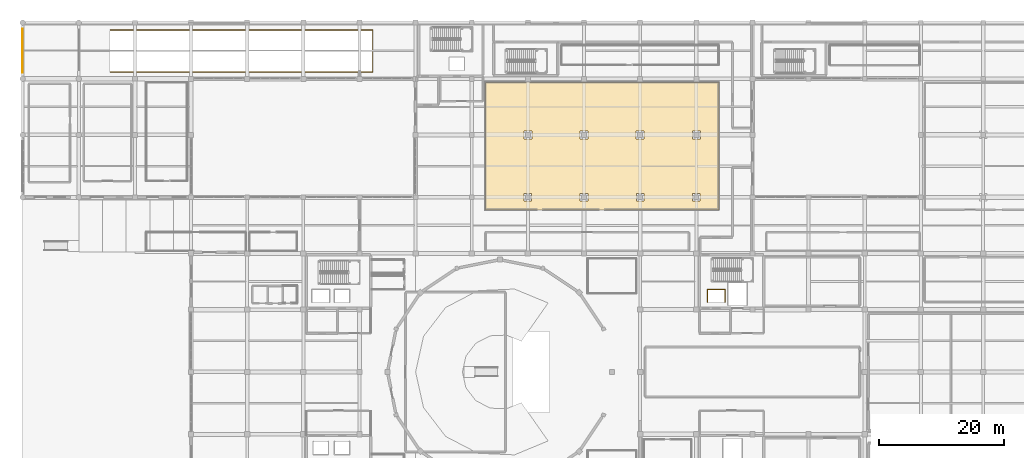
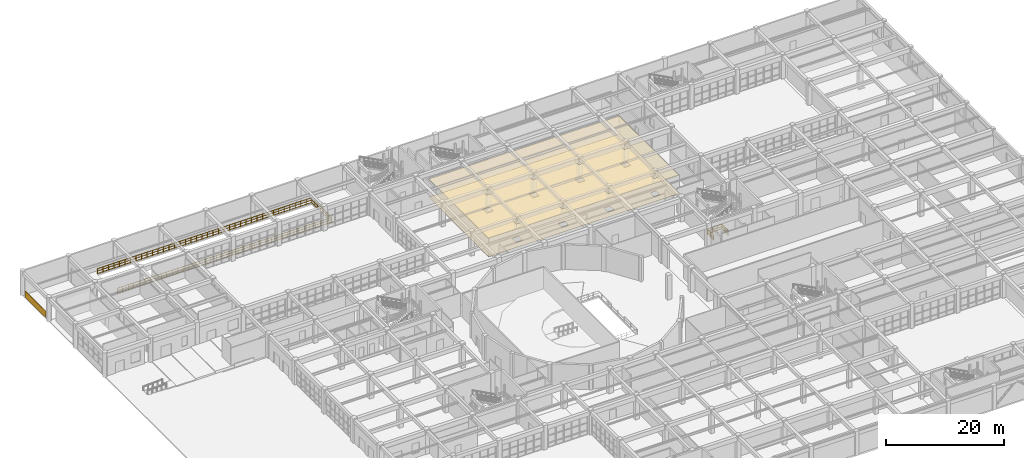
# One storey, part 124 of 128: 3 coverings, 2 railings.
"""IFC4 building model written with IfcOpenShell, lengths in metres."""

import ifcopenshell
import ifcopenshell.guid

model = None  # the IFC model being written
_history = None  # IfcOwnerHistory: only IFC2X3 demands one
_inside = {}  # id of a spatial element -> (the spatial element, [elements in it])
_under = {}  # id of a project, library or spatial element -> (it, [spatial elements below it])
_declared = {}  # id of a project -> (the project, [libraries it declares])
_typed = {}  # id of a type object -> (the type object, [elements of that type])
_made_of = {}  # id of a material, layer set ... -> (it, [elements and type objects made of it])


def new_model(schema):
    """Start an empty IFC model of exactly this schema.

    Asked for "IFC4X3", IfcOpenShell would pick the latest addendum, in which some entities
    have other attributes; the version numbers below select the first issue.
    IFC2X3 requires an IfcOwnerHistory on every rooted entity: one is made here for all.
    """
    global model, _history
    if schema == "IFC4X3":
        model = ifcopenshell.file(schema_version=(4, 3, 0, 0))
    else:
        model = ifcopenshell.file(schema=schema)
    _inside.clear()
    _under.clear()
    _declared.clear()
    _typed.clear()
    _made_of.clear()
    _history = None
    if model.schema == "IFC2X3":
        org = make("IfcOrganization", Name="unknown")
        user = make(
            "IfcPersonAndOrganization",
            ThePerson=make("IfcPerson", FamilyName="unknown"),
            TheOrganization=org,
        )
        app = make(
            "IfcApplication",
            ApplicationDeveloper=org,
            Version="unknown",
            ApplicationFullName="unknown",
            ApplicationIdentifier="unknown",
        )
        _history = make(
            "IfcOwnerHistory",
            OwningUser=user,
            OwningApplication=app,
            ChangeAction="ADDED",
            CreationDate=0,
        )
    return model


def make(cls, **values):
    """One entity of the class cls with the attributes given. An attribute that is None is left unset."""
    return model.create_entity(
        cls, **{name: value for name, value in values.items() if value is not None}
    )


def rooted(cls, **values):
    """An entity with a GlobalId (a new one), such as an element, a storey or a relation."""
    return make(cls, GlobalId=ifcopenshell.guid.new(), OwnerHistory=_history, **values)


def si_unit(unit_type, name, prefix=None):
    """IfcSIUnit, for example si_unit("LENGTHUNIT", "METRE", prefix="MILLI")."""
    return make("IfcSIUnit", UnitType=unit_type, Prefix=prefix, Name=name)


def assignment(units):
    """IfcUnitAssignment: the units of a project."""
    return None if units is None else make("IfcUnitAssignment", Units=units)


def point(xyz):
    """IfcCartesianPoint."""
    return None if xyz is None else make("IfcCartesianPoint", Coordinates=xyz)


def direction(xyz):
    """IfcDirection."""
    return None if xyz is None else make("IfcDirection", DirectionRatios=xyz)


def frame(location, z_axis=None, x_axis=None):
    """IfcAxis2Placement3D, a coordinate frame: its origin and axes. An axis left out is left unset."""
    return make(
        "IfcAxis2Placement3D",
        Location=point(location),
        Axis=direction(z_axis),
        RefDirection=direction(x_axis),
    )


def frame_2d(location, x_axis=None):
    """IfcAxis2Placement2D, a coordinate frame in the plane: its origin and x axis."""
    return make(
        "IfcAxis2Placement2D", Location=point(location), RefDirection=direction(x_axis)
    )


def origin():
    """The frame at (0, 0, 0) with its axes left unset."""
    return frame((0.0, 0.0, 0.0))


def origin_2d():
    """The frame at (0, 0) in the plane with its x axis left unset."""
    return frame_2d((0.0, 0.0))


def place(relative_to, where):
    """IfcLocalPlacement: puts the frame where relative to a parent placement (None: the world)."""
    return make(
        "IfcLocalPlacement", PlacementRelTo=relative_to, RelativePlacement=where
    )


def context(
    kind, dimensions, precision=None, world=None, true_north=None, identifier=None
):
    """IfcGeometricRepresentationContext, for example the 3D "Model" context."""
    return make(
        "IfcGeometricRepresentationContext",
        ContextIdentifier=identifier,
        ContextType=kind,
        CoordinateSpaceDimension=dimensions,
        Precision=precision,
        WorldCoordinateSystem=world,
        TrueNorth=true_north,
    )


def subcontext(parent, identifier, kind, view, scale=None):
    """IfcGeometricRepresentationSubContext, for example "Body" below "Model"."""
    return make(
        "IfcGeometricRepresentationSubContext",
        ContextIdentifier=identifier,
        ContextType=kind,
        ParentContext=parent,
        TargetScale=scale,
        TargetView=view,
    )


def project(units=None, contexts=None):
    """IfcProject with its units and contexts."""
    return rooted(
        "IfcProject",
        Name="project",
        RepresentationContexts=contexts,
        UnitsInContext=assignment(units),
    )


def spatial(cls, under=None, at=None, **own):
    """A site, building, storey or space (cls), placed at a placement, below another one or the project."""
    s = rooted(cls, ObjectPlacement=at, **own)
    if under is not None:
        _under.setdefault(under.id(), (under, []))[1].append(s)
    return s


def polyline(points):
    """IfcPolyline through the points."""
    return make("IfcPolyline", Points=[point(p) for p in points])


def profile(cls, at=None, kind="AREA", **sizes):
    """A parametric profile (cls). Its sizes go by their IFC names, for example OverallWidth=200.0."""
    return make(cls, ProfileType=kind, Position=at, **sizes)


def circle(**sizes):
    """IfcCircleProfileDef."""
    return profile("IfcCircleProfileDef", **sizes)


def outline(outer, holes=None, kind="AREA"):
    """IfcArbitraryClosedProfileDef: a profile drawn as a closed curve; with holes, ...WithVoids."""
    if holes is None:
        return make("IfcArbitraryClosedProfileDef", ProfileType=kind, OuterCurve=outer)
    return make(
        "IfcArbitraryProfileDefWithVoids",
        ProfileType=kind,
        OuterCurve=outer,
        InnerCurves=holes,
    )


def extrude(swept, where, along, depth):
    """IfcExtrudedAreaSolid: the profile swept, set in the frame where, extruded along a direction by depth."""
    return make(
        "IfcExtrudedAreaSolid",
        SweptArea=swept,
        Position=where,
        ExtrudedDirection=direction(along),
        Depth=depth,
    )


def shape(context_of_items, identifier, shape_type, items):
    """IfcShapeRepresentation: the items that make up one representation, for example the "Body"."""
    return make(
        "IfcShapeRepresentation",
        ContextOfItems=context_of_items,
        RepresentationIdentifier=identifier,
        RepresentationType=shape_type,
        Items=items,
    )


def material(Name=None, Category=None):
    """IfcMaterial."""
    return make("IfcMaterial", Name=Name, Category=Category)


def layer(
    of_material, thickness, ventilated=None, Name=None, Category=None, Priority=None
):
    """IfcMaterialLayer: one layer of a wall or slab, of a material (None: an air gap)."""
    return make(
        "IfcMaterialLayer",
        Material=of_material,
        LayerThickness=thickness,
        IsVentilated=ventilated,
        Name=Name,
        Category=Category,
        Priority=Priority,
    )


def layer_set(layers, Name=None):
    """IfcMaterialLayerSet."""
    return make("IfcMaterialLayerSet", MaterialLayers=layers, LayerSetName=Name)


def made_of(thing, what):
    """Note that an element or type object is made of a material, layer set ...; save() writes the relation."""
    if what is not None:
        _made_of.setdefault(what.id(), (what, []))[1].append(thing)
    return thing


def type_object(cls, material=None, **own):
    """A type object (cls), such as IfcWallType, which elements share."""
    return made_of(rooted(cls, **own), material)


def element(
    cls,
    number,
    at=None,
    inside=None,
    cuts=None,
    type_object=None,
    material=None,
    context=None,
    identifier="Body",
    shape_type=None,
    held_by="IfcProductDefinitionShape",
    body=None,
    shapes=None,
    **own,
):
    """One element of the class cls, such as IfcWall. Its Tag is "e" and its number.

    at: its placement. inside: the storey or other place that contains it. cuts: it is an
    opening in that element (IfcRelVoidsElement). A single representation is given by context,
    identifier, shape_type and body (its items); several are given by shapes. held_by: the class
    of the entity that holds the representations. save() writes the other relations.
    """
    e = rooted(cls, Tag="e%d" % number, ObjectPlacement=at, **own)
    if body is not None:
        shapes = [shape(context, identifier, shape_type, body)]
    if shapes is not None:
        e.Representation = make(held_by, Representations=shapes)
    if inside is not None:
        _inside.setdefault(inside.id(), (inside, []))[1].append(e)
    if cuts is not None:
        rooted(
            "IfcRelVoidsElement", RelatingBuildingElement=cuts, RelatedOpeningElement=e
        )
    if type_object is not None:
        _typed.setdefault(type_object.id(), (type_object, []))[1].append(e)
    return made_of(e, material)


def aggregate(whole, parts):
    """IfcRelAggregates: a whole, such as a stair, and the parts it consists of."""
    return rooted("IfcRelAggregates", RelatingObject=whole, RelatedObjects=parts)


def save(model, path):
    """Write the relations noted so far, then the file.

    IfcRelAggregates (storeys below a building ...), IfcRelContainedInSpatialStructure (elements
    in a storey), IfcRelDefinesByType, IfcRelAssociatesMaterial and IfcRelDeclares: one each for
    every whole, place, type object, material and project.
    """
    for whole, parts in _under.values():
        aggregate(whole, parts)
    for where, things in _inside.values():
        rooted(
            "IfcRelContainedInSpatialStructure",
            RelatedElements=things,
            RelatingStructure=where,
        )
    for kind, things in _typed.values():
        rooted("IfcRelDefinesByType", RelatedObjects=things, RelatingType=kind)
    for what, things in _made_of.values():
        rooted("IfcRelAssociatesMaterial", RelatedObjects=things, RelatingMaterial=what)
    for by, libraries in _declared.values():
        rooted("IfcRelDeclares", RelatingContext=by, RelatedDefinitions=libraries)
    model.write(path)


model = new_model("IFC4")

# Units and contexts
model_context = context("Model", 3, precision=1e-05, world=origin(), true_north=direction((0.0, 1.0)))
body_context = subcontext(model_context, "Body", "Model", "MODEL_VIEW")
ifc_project = project(units=[si_unit("LENGTHUNIT", "METRE"), si_unit("AREAUNIT", "SQUARE_METRE"), si_unit("VOLUMEUNIT", "CUBIC_METRE"), si_unit("PLANEANGLEUNIT", "RADIAN"), si_unit("MASSUNIT", "GRAM", prefix="KILO")], contexts=[model_context])

# Site, building, storey
site_placement = place(None, origin())
site = spatial("IfcSite", under=ifc_project, at=site_placement, CompositionType="ELEMENT")
building_placement = place(site_placement, origin())
building = spatial("IfcBuilding", under=site, at=building_placement, Name="Miravela Opera House", CompositionType="ELEMENT")
storey_placement = place(building_placement, origin())
storey = spatial("IfcBuildingStorey", under=building, at=storey_placement, Name="L00", CompositionType="ELEMENT", Elevation=0.0)

# Coverings
ifc_material_1 = material(Name="Spanish Colonial coffered lime-plaster ceiling")
ifc_layer_1 = layer(ifc_material_1, 0.0419921875)
ifc_layer_set_1 = layer_set([ifc_layer_1])
covering_type_1 = type_object("IfcCoveringType", Name="ARC-CEIL-COFFER-42", PredefinedType="CEILING", material=ifc_layer_set_1)
covering_1_placement = place(storey_placement, frame((0.0, 0.0, 3.75)))
element("IfcCovering", 1, at=covering_1_placement, inside=storey, type_object=covering_type_1, Name="Production Rehearsal Stage Acoustic Ceiling", PredefinedType="CEILING", context=body_context, shape_type="SweptSolid", body=[
    extrude(outline(polyline([(74.199951171875, 82.0), (111.60009765625, 82.0), (111.60009765625, 102.39990234375), (74.199951171875, 102.39990234375), (74.199951171875, 82.0)]), holes=[polyline([(80.3896484375, 83.3896484375), (81.6103515625, 83.3896484375), (81.6103515625, 84.6103515625), (80.3896484375, 84.6103515625), (80.3896484375, 83.3896484375)]), polyline([(80.354248046875, 93.354248046875), (81.645751953125, 93.354248046875), (81.645751953125, 94.645751953125), (80.354248046875, 94.645751953125), (80.354248046875, 93.354248046875)]), polyline([(89.3896484375, 83.3896484375), (90.6103515625, 83.3896484375), (90.6103515625, 84.6103515625), (89.3896484375, 84.6103515625), (89.3896484375, 83.3896484375)]), polyline([(89.354248046875, 93.354248046875), (90.645751953125, 93.354248046875), (90.645751953125, 94.645751953125), (89.354248046875, 94.645751953125), (89.354248046875, 93.354248046875)]), polyline([(98.3896484375, 83.3896484375), (99.6103515625, 83.3896484375), (99.6103515625, 84.6103515625), (98.3896484375, 84.6103515625), (98.3896484375, 83.3896484375)]), polyline([(98.354248046875, 93.354248046875), (99.645751953125, 93.354248046875), (99.645751953125, 94.645751953125), (98.354248046875, 94.645751953125), (98.354248046875, 93.354248046875)]), polyline([(107.3896484375, 83.3896484375), (108.6103515625, 83.3896484375), (108.6103515625, 84.6103515625), (107.3896484375, 84.6103515625), (107.3896484375, 83.3896484375)]), polyline([(107.354248046875, 93.354248046875), (108.645751953125, 93.354248046875), (108.645751953125, 94.645751953125), (107.354248046875, 94.645751953125), (107.354248046875, 93.354248046875)])]), origin(), (0.0, 0.0, 1.0), 0.0419921875),
])
ifc_material_2 = material(Name="Carved dark volcanic basalt ashlar cladding", Category="masonry")
ifc_layer_2 = layer(ifc_material_2, 0.054931640625)
ifc_layer_set_2 = layer_set([ifc_layer_2])
covering_type_2 = type_object("IfcCoveringType", Name="ARC-COV-BASALT-CLAD", PredefinedType="CLADDING", material=ifc_layer_set_2)
covering_2_placement = place(storey_placement, origin())
element("IfcCovering", 2, at=covering_2_placement, inside=storey, type_object=covering_type_2, Name="Volcanic Basalt Plinth Rustication Cladding 05", PredefinedType="CLADDING", context=body_context, shape_type="SweptSolid", body=[
    extrude(outline(polyline([(-0.048095703125, 104.0), (0.008056640625, 104.0), (0.008056640625, 111.0), (-0.048095703125, 111.0), (-0.048095703125, 104.0)])), origin(), (0.0, 0.0, 1.0), 1.35009765625),
])
ifc_material_3 = material(Name="Handcrafted terracotta salon tile flooring", Category="masonry")
ifc_layer_3 = layer(ifc_material_3, 0.02197265625)
ifc_layer_set_3 = layer_set([ifc_layer_3])
covering_type_3 = type_object("IfcCoveringType", Name="ARC-FLR-TERRACOTTA-22", PredefinedType="FLOORING", material=ifc_layer_set_3)
covering_3_placement = place(storey_placement, origin())
element("IfcCovering", 3, at=covering_3_placement, inside=storey, type_object=covering_type_3, Name="Production Rehearsal Stage Finish Flooring", PredefinedType="FLOORING", context=body_context, shape_type="SweptSolid", body=[
    extrude(outline(polyline([(74.199951171875, 82.0), (111.60009765625, 82.0), (111.60009765625, 102.39990234375), (74.199951171875, 102.39990234375), (74.199951171875, 82.0)]), holes=[polyline([(80.3896484375, 83.3896484375), (81.6103515625, 83.3896484375), (81.6103515625, 84.6103515625), (80.3896484375, 84.6103515625), (80.3896484375, 83.3896484375)]), polyline([(80.354248046875, 93.354248046875), (81.645751953125, 93.354248046875), (81.645751953125, 94.645751953125), (80.354248046875, 94.645751953125), (80.354248046875, 93.354248046875)]), polyline([(89.3896484375, 83.3896484375), (90.6103515625, 83.3896484375), (90.6103515625, 84.6103515625), (89.3896484375, 84.6103515625), (89.3896484375, 83.3896484375)]), polyline([(89.354248046875, 93.354248046875), (90.645751953125, 93.354248046875), (90.645751953125, 94.645751953125), (89.354248046875, 94.645751953125), (89.354248046875, 93.354248046875)]), polyline([(98.3896484375, 83.3896484375), (99.6103515625, 83.3896484375), (99.6103515625, 84.6103515625), (98.3896484375, 84.6103515625), (98.3896484375, 83.3896484375)]), polyline([(98.354248046875, 93.354248046875), (99.645751953125, 93.354248046875), (99.645751953125, 94.645751953125), (98.354248046875, 94.645751953125), (98.354248046875, 93.354248046875)]), polyline([(107.3896484375, 83.3896484375), (108.6103515625, 83.3896484375), (108.6103515625, 84.6103515625), (107.3896484375, 84.6103515625), (107.3896484375, 83.3896484375)]), polyline([(107.354248046875, 93.354248046875), (108.645751953125, 93.354248046875), (108.645751953125, 94.645751953125), (107.354248046875, 94.645751953125), (107.354248046875, 93.354248046875)])]), origin(), (0.0, 0.0, 1.0), 0.02197265625),
])

# Railings
ifc_material_4 = material(Name="Galvanised steel fly-gallery safety guardrail", Category="steel")
railing_type_1 = type_object("IfcRailingType", Name="ARC-RAIL-STAGE-GUARD", PredefinedType="GUARDRAIL", material=ifc_material_4)
railing_1_placement = place(storey_placement, frame((14.050048828125, 104.080078125, 0.0)))
element("IfcRailing", 4, at=railing_1_placement, inside=storey, type_object=railing_type_1, Name="L00 Vehicle Ramp Well Perimeter Guard 0151", PredefinedType="GUARDRAIL", context=body_context, shape_type="SweptSolid", body=[
    extrude(circle(Radius=0.02392578125, at=origin_2d()), frame((0.0, 0.0, 1.1259765625), z_axis=(1.0, 0.0, 0.0), x_axis=(0.0, 1.0, 0.0)), (0.0, 0.0, 1.0), 42.070068359375),
    extrude(circle(Radius=0.01611328125, at=origin_2d()), frame((0.0, 0.0, 0.63232421875), z_axis=(1.0, 0.0, 0.0), x_axis=(0.0, 1.0, 0.0)), (0.0, 0.0, 1.0), 42.070068359375),
    extrude(circle(Radius=0.01611328125, at=origin_2d()), frame((0.0, 0.0, 0.1201171875), z_axis=(1.0, 0.0, 0.0), x_axis=(0.0, 1.0, 0.0)), (0.0, 0.0, 1.0), 42.070068359375),
    extrude(circle(Radius=0.02392578125, at=origin_2d()), frame((42.070068359375, 0.0, 1.1259765625), z_axis=(0.0, 1.0, 0.0), x_axis=(-1.0, 0.0, 0.0)), (0.0, 0.0, 1.0), 6.739990234375),
    extrude(circle(Radius=0.01611328125, at=origin_2d()), frame((42.070068359375, 0.0, 0.63232421875), z_axis=(0.0, 1.0, 0.0), x_axis=(-1.0, 0.0, 0.0)), (0.0, 0.0, 1.0), 6.739990234375),
    extrude(circle(Radius=0.01611328125, at=origin_2d()), frame((42.070068359375, 0.0, 0.1201171875), z_axis=(0.0, 1.0, 0.0), x_axis=(-1.0, 0.0, 0.0)), (0.0, 0.0, 1.0), 6.739990234375),
    extrude(circle(Radius=0.02392578125, at=origin_2d()), frame((42.070068359375, 6.739990234375, 1.1259765625), z_axis=(-1.0, 0.0, 0.0), x_axis=(0.0, -1.0, 0.0)), (0.0, 0.0, 1.0), 42.070068359375),
    extrude(circle(Radius=0.01611328125, at=origin_2d()), frame((42.070068359375, 6.739990234375, 0.63232421875), z_axis=(-1.0, 0.0, 0.0), x_axis=(0.0, -1.0, 0.0)), (0.0, 0.0, 1.0), 42.070068359375),
    extrude(circle(Radius=0.01611328125, at=origin_2d()), frame((42.070068359375, 6.739990234375, 0.1201171875), z_axis=(-1.0, 0.0, 0.0), x_axis=(0.0, -1.0, 0.0)), (0.0, 0.0, 1.0), 42.070068359375),
    extrude(circle(Radius=0.02099609375, at=origin_2d()), origin(), (0.0, 0.0, 1.0), 1.101806640625),
    extrude(circle(Radius=0.02099609375, at=origin_2d()), frame((1.07861328125, 0.0, 0.0)), (0.0, 0.0, 1.0), 1.101806640625),
    extrude(circle(Radius=0.02099609375, at=origin_2d()), frame((2.157470703125, 0.0, 0.0)), (0.0, 0.0, 1.0), 1.101806640625),
    extrude(circle(Radius=0.02099609375, at=origin_2d()), frame((3.236083984375, 0.0, 0.0)), (0.0, 0.0, 1.0), 1.101806640625),
    extrude(circle(Radius=0.02099609375, at=origin_2d()), frame((4.31494140625, 0.0, 0.0)), (0.0, 0.0, 1.0), 1.101806640625),
    extrude(circle(Radius=0.02099609375, at=origin_2d()), frame((5.3935546875, 0.0, 0.0)), (0.0, 0.0, 1.0), 1.101806640625),
    extrude(circle(Radius=0.02099609375, at=origin_2d()), frame((6.472412109375, 0.0, 0.0)), (0.0, 0.0, 1.0), 1.101806640625),
    extrude(circle(Radius=0.02099609375, at=origin_2d()), frame((7.551025390625, 0.0, 0.0)), (0.0, 0.0, 1.0), 1.101806640625),
    extrude(circle(Radius=0.02099609375, at=origin_2d()), frame((8.629638671875, 0.0, 0.0)), (0.0, 0.0, 1.0), 1.101806640625),
    extrude(circle(Radius=0.02099609375, at=origin_2d()), frame((9.70849609375, 0.0, 0.0)), (0.0, 0.0, 1.0), 1.101806640625),
    extrude(circle(Radius=0.02099609375, at=origin_2d()), frame((10.787109375, 0.0, 0.0)), (0.0, 0.0, 1.0), 1.101806640625),
    extrude(circle(Radius=0.02099609375, at=origin_2d()), frame((11.865966796875, 0.0, 0.0)), (0.0, 0.0, 1.0), 1.101806640625),
    extrude(circle(Radius=0.02099609375, at=origin_2d()), frame((12.944580078125, 0.0, 0.0)), (0.0, 0.0, 1.0), 1.101806640625),
    extrude(circle(Radius=0.02099609375, at=origin_2d()), frame((14.0234375, 0.0, 0.0)), (0.0, 0.0, 1.0), 1.101806640625),
    extrude(circle(Radius=0.02099609375, at=origin_2d()), frame((15.10205078125, 0.0, 0.0)), (0.0, 0.0, 1.0), 1.101806640625),
    extrude(circle(Radius=0.02099609375, at=origin_2d()), frame((16.180908203125, 0.0, 0.0)), (0.0, 0.0, 1.0), 1.101806640625),
    extrude(circle(Radius=0.02099609375, at=origin_2d()), frame((17.259521484375, 0.0, 0.0)), (0.0, 0.0, 1.0), 1.101806640625),
    extrude(circle(Radius=0.02099609375, at=origin_2d()), frame((18.338134765625, 0.0, 0.0)), (0.0, 0.0, 1.0), 1.101806640625),
    extrude(circle(Radius=0.02099609375, at=origin_2d()), frame((19.4169921875, 0.0, 0.0)), (0.0, 0.0, 1.0), 1.101806640625),
    extrude(circle(Radius=0.02099609375, at=origin_2d()), frame((20.49560546875, 0.0, 0.0)), (0.0, 0.0, 1.0), 1.101806640625),
    extrude(circle(Radius=0.02099609375, at=origin_2d()), frame((21.574462890625, 0.0, 0.0)), (0.0, 0.0, 1.0), 1.101806640625),
    extrude(circle(Radius=0.02099609375, at=origin_2d()), frame((22.653076171875, 0.0, 0.0)), (0.0, 0.0, 1.0), 1.101806640625),
    extrude(circle(Radius=0.02099609375, at=origin_2d()), frame((23.73193359375, 0.0, 0.0)), (0.0, 0.0, 1.0), 1.101806640625),
    extrude(circle(Radius=0.02099609375, at=origin_2d()), frame((24.810546875, 0.0, 0.0)), (0.0, 0.0, 1.0), 1.101806640625),
    extrude(circle(Radius=0.02099609375, at=origin_2d()), frame((25.88916015625, 0.0, 0.0)), (0.0, 0.0, 1.0), 1.101806640625),
    extrude(circle(Radius=0.02099609375, at=origin_2d()), frame((26.968017578125, 0.0, 0.0)), (0.0, 0.0, 1.0), 1.101806640625),
    extrude(circle(Radius=0.02099609375, at=origin_2d()), frame((28.046630859375, 0.0, 0.0)), (0.0, 0.0, 1.0), 1.101806640625),
    extrude(circle(Radius=0.02099609375, at=origin_2d()), frame((29.12548828125, 0.0, 0.0)), (0.0, 0.0, 1.0), 1.101806640625),
    extrude(circle(Radius=0.02099609375, at=origin_2d()), frame((30.2041015625, 0.0, 0.0)), (0.0, 0.0, 1.0), 1.101806640625),
    extrude(circle(Radius=0.02099609375, at=origin_2d()), frame((31.282958984375, 0.0, 0.0)), (0.0, 0.0, 1.0), 1.101806640625),
    extrude(circle(Radius=0.02099609375, at=origin_2d()), frame((32.361572265625, 0.0, 0.0)), (0.0, 0.0, 1.0), 1.101806640625),
    extrude(circle(Radius=0.02099609375, at=origin_2d()), frame((33.4404296875, 0.0, 0.0)), (0.0, 0.0, 1.0), 1.101806640625),
    extrude(circle(Radius=0.02099609375, at=origin_2d()), frame((34.51904296875, 0.0, 0.0)), (0.0, 0.0, 1.0), 1.101806640625),
    extrude(circle(Radius=0.02099609375, at=origin_2d()), frame((35.59765625, 0.0, 0.0)), (0.0, 0.0, 1.0), 1.101806640625),
    extrude(circle(Radius=0.02099609375, at=origin_2d()), frame((36.676513671875, 0.0, 0.0)), (0.0, 0.0, 1.0), 1.101806640625),
    extrude(circle(Radius=0.02099609375, at=origin_2d()), frame((37.755126953125, 0.0, 0.0)), (0.0, 0.0, 1.0), 1.101806640625),
    extrude(circle(Radius=0.02099609375, at=origin_2d()), frame((38.833984375, 0.0, 0.0)), (0.0, 0.0, 1.0), 1.101806640625),
    extrude(circle(Radius=0.02099609375, at=origin_2d()), frame((39.91259765625, 0.0, 0.0)), (0.0, 0.0, 1.0), 1.101806640625),
    extrude(circle(Radius=0.02099609375, at=origin_2d()), frame((40.991455078125, 0.0, 0.0)), (0.0, 0.0, 1.0), 1.101806640625),
    extrude(circle(Radius=0.02099609375, at=origin_2d()), frame((42.070068359375, 0.0, 0.0)), (0.0, 0.0, 1.0), 1.101806640625),
    extrude(circle(Radius=0.02099609375, at=origin_2d()), frame((42.070068359375, 0.962890625, 0.0)), (0.0, 0.0, 1.0), 1.101806640625),
    extrude(circle(Radius=0.02099609375, at=origin_2d()), frame((42.070068359375, 1.92578125, 0.0)), (0.0, 0.0, 1.0), 1.101806640625),
    extrude(circle(Radius=0.02099609375, at=origin_2d()), frame((42.070068359375, 2.888671875, 0.0)), (0.0, 0.0, 1.0), 1.101806640625),
    extrude(circle(Radius=0.02099609375, at=origin_2d()), frame((42.070068359375, 3.851318359375, 0.0)), (0.0, 0.0, 1.0), 1.101806640625),
    extrude(circle(Radius=0.02099609375, at=origin_2d()), frame((42.070068359375, 4.814208984375, 0.0)), (0.0, 0.0, 1.0), 1.101806640625),
    extrude(circle(Radius=0.02099609375, at=origin_2d()), frame((42.070068359375, 5.777099609375, 0.0)), (0.0, 0.0, 1.0), 1.101806640625),
    extrude(circle(Radius=0.02099609375, at=origin_2d()), frame((42.070068359375, 6.739990234375, 0.0)), (0.0, 0.0, 1.0), 1.101806640625),
    extrude(circle(Radius=0.02099609375, at=origin_2d()), frame((40.991455078125, 6.739990234375, 0.0)), (0.0, 0.0, 1.0), 1.101806640625),
    extrude(circle(Radius=0.02099609375, at=origin_2d()), frame((39.91259765625, 6.739990234375, 0.0)), (0.0, 0.0, 1.0), 1.101806640625),
    extrude(circle(Radius=0.02099609375, at=origin_2d()), frame((38.833984375, 6.739990234375, 0.0)), (0.0, 0.0, 1.0), 1.101806640625),
    extrude(circle(Radius=0.02099609375, at=origin_2d()), frame((37.755126953125, 6.739990234375, 0.0)), (0.0, 0.0, 1.0), 1.101806640625),
    extrude(circle(Radius=0.02099609375, at=origin_2d()), frame((36.676513671875, 6.739990234375, 0.0)), (0.0, 0.0, 1.0), 1.101806640625),
    extrude(circle(Radius=0.02099609375, at=origin_2d()), frame((35.59765625, 6.739990234375, 0.0)), (0.0, 0.0, 1.0), 1.101806640625),
    extrude(circle(Radius=0.02099609375, at=origin_2d()), frame((34.51904296875, 6.739990234375, 0.0)), (0.0, 0.0, 1.0), 1.101806640625),
    extrude(circle(Radius=0.02099609375, at=origin_2d()), frame((33.4404296875, 6.739990234375, 0.0)), (0.0, 0.0, 1.0), 1.101806640625),
    extrude(circle(Radius=0.02099609375, at=origin_2d()), frame((32.361572265625, 6.739990234375, 0.0)), (0.0, 0.0, 1.0), 1.101806640625),
    extrude(circle(Radius=0.02099609375, at=origin_2d()), frame((31.282958984375, 6.739990234375, 0.0)), (0.0, 0.0, 1.0), 1.101806640625),
    extrude(circle(Radius=0.02099609375, at=origin_2d()), frame((30.2041015625, 6.739990234375, 0.0)), (0.0, 0.0, 1.0), 1.101806640625),
    extrude(circle(Radius=0.02099609375, at=origin_2d()), frame((29.12548828125, 6.739990234375, 0.0)), (0.0, 0.0, 1.0), 1.101806640625),
    extrude(circle(Radius=0.02099609375, at=origin_2d()), frame((28.046630859375, 6.739990234375, 0.0)), (0.0, 0.0, 1.0), 1.101806640625),
    extrude(circle(Radius=0.02099609375, at=origin_2d()), frame((26.968017578125, 6.739990234375, 0.0)), (0.0, 0.0, 1.0), 1.101806640625),
    extrude(circle(Radius=0.02099609375, at=origin_2d()), frame((25.88916015625, 6.739990234375, 0.0)), (0.0, 0.0, 1.0), 1.101806640625),
    extrude(circle(Radius=0.02099609375, at=origin_2d()), frame((24.810546875, 6.739990234375, 0.0)), (0.0, 0.0, 1.0), 1.101806640625),
    extrude(circle(Radius=0.02099609375, at=origin_2d()), frame((23.73193359375, 6.739990234375, 0.0)), (0.0, 0.0, 1.0), 1.101806640625),
    extrude(circle(Radius=0.02099609375, at=origin_2d()), frame((22.653076171875, 6.739990234375, 0.0)), (0.0, 0.0, 1.0), 1.101806640625),
    extrude(circle(Radius=0.02099609375, at=origin_2d()), frame((21.574462890625, 6.739990234375, 0.0)), (0.0, 0.0, 1.0), 1.101806640625),
    extrude(circle(Radius=0.02099609375, at=origin_2d()), frame((20.49560546875, 6.739990234375, 0.0)), (0.0, 0.0, 1.0), 1.101806640625),
    extrude(circle(Radius=0.02099609375, at=origin_2d()), frame((19.4169921875, 6.739990234375, 0.0)), (0.0, 0.0, 1.0), 1.101806640625),
    extrude(circle(Radius=0.02099609375, at=origin_2d()), frame((18.338134765625, 6.739990234375, 0.0)), (0.0, 0.0, 1.0), 1.101806640625),
    extrude(circle(Radius=0.02099609375, at=origin_2d()), frame((17.259521484375, 6.739990234375, 0.0)), (0.0, 0.0, 1.0), 1.101806640625),
    extrude(circle(Radius=0.02099609375, at=origin_2d()), frame((16.180908203125, 6.739990234375, 0.0)), (0.0, 0.0, 1.0), 1.101806640625),
    extrude(circle(Radius=0.02099609375, at=origin_2d()), frame((15.10205078125, 6.739990234375, 0.0)), (0.0, 0.0, 1.0), 1.101806640625),
    extrude(circle(Radius=0.02099609375, at=origin_2d()), frame((14.0234375, 6.739990234375, 0.0)), (0.0, 0.0, 1.0), 1.101806640625),
    extrude(circle(Radius=0.02099609375, at=origin_2d()), frame((12.944580078125, 6.739990234375, 0.0)), (0.0, 0.0, 1.0), 1.101806640625),
    extrude(circle(Radius=0.02099609375, at=origin_2d()), frame((11.865966796875, 6.739990234375, 0.0)), (0.0, 0.0, 1.0), 1.101806640625),
    extrude(circle(Radius=0.02099609375, at=origin_2d()), frame((10.787109375, 6.739990234375, 0.0)), (0.0, 0.0, 1.0), 1.101806640625),
    extrude(circle(Radius=0.02099609375, at=origin_2d()), frame((9.70849609375, 6.739990234375, 0.0)), (0.0, 0.0, 1.0), 1.101806640625),
    extrude(circle(Radius=0.02099609375, at=origin_2d()), frame((8.629638671875, 6.739990234375, 0.0)), (0.0, 0.0, 1.0), 1.101806640625),
    extrude(circle(Radius=0.02099609375, at=origin_2d()), frame((7.551025390625, 6.739990234375, 0.0)), (0.0, 0.0, 1.0), 1.101806640625),
    extrude(circle(Radius=0.02099609375, at=origin_2d()), frame((6.472412109375, 6.739990234375, 0.0)), (0.0, 0.0, 1.0), 1.101806640625),
    extrude(circle(Radius=0.02099609375, at=origin_2d()), frame((5.3935546875, 6.739990234375, 0.0)), (0.0, 0.0, 1.0), 1.101806640625),
    extrude(circle(Radius=0.02099609375, at=origin_2d()), frame((4.31494140625, 6.739990234375, 0.0)), (0.0, 0.0, 1.0), 1.101806640625),
    extrude(circle(Radius=0.02099609375, at=origin_2d()), frame((3.236083984375, 6.739990234375, 0.0)), (0.0, 0.0, 1.0), 1.101806640625),
    extrude(circle(Radius=0.02099609375, at=origin_2d()), frame((2.157470703125, 6.739990234375, 0.0)), (0.0, 0.0, 1.0), 1.101806640625),
    extrude(circle(Radius=0.02099609375, at=origin_2d()), frame((1.07861328125, 6.739990234375, 0.0)), (0.0, 0.0, 1.0), 1.101806640625),
    extrude(circle(Radius=0.02099609375, at=origin_2d()), frame((0.0, 6.739990234375, 0.0)), (0.0, 0.0, 1.0), 1.101806640625),
])
ifc_material_5 = material(Name="Painted wrought-iron stair guardrail")
railing_type_2 = type_object("IfcRailingType", Name="ARC-RAIL-STAIR-GUARD", PredefinedType="GUARDRAIL", material=ifc_material_5)
railing_2_placement = place(storey_placement, frame((109.7900390625, 67.18505859375, 0.0)))
element("IfcRailing", 5, at=railing_2_placement, inside=storey, type_object=railing_type_2, Name="Lift FFL-02 Hoistway Slab Opening Guard (L00) 0117", PredefinedType="GUARDRAIL", context=body_context, shape_type="SweptSolid", body=[
    extrude(circle(Radius=0.02392578125, at=origin_2d()), frame((0.0, 0.0, 1.076171875), z_axis=(0.0, 1.0, 0.0), x_axis=(-1.0, 0.0, 0.0)), (0.0, 0.0, 1.0), 2.030029296875),
    extrude(circle(Radius=0.01611328125, at=origin_2d()), frame((0.0, 0.0, 0.60498046875), z_axis=(0.0, 1.0, 0.0), x_axis=(-1.0, 0.0, 0.0)), (0.0, 0.0, 1.0), 2.030029296875),
    extrude(circle(Radius=0.01611328125, at=origin_2d()), frame((0.0, 0.0, 0.1201171875), z_axis=(0.0, 1.0, 0.0), x_axis=(-1.0, 0.0, 0.0)), (0.0, 0.0, 1.0), 2.030029296875),
    extrude(circle(Radius=0.02392578125, at=origin_2d()), frame((0.0, 2.030029296875, 1.076171875), z_axis=(1.0, 0.0, 0.0), x_axis=(0.0, 1.0, 0.0)), (0.0, 0.0, 1.0), 2.820068359375),
    extrude(circle(Radius=0.01611328125, at=origin_2d()), frame((0.0, 2.030029296875, 0.60498046875), z_axis=(1.0, 0.0, 0.0), x_axis=(0.0, 1.0, 0.0)), (0.0, 0.0, 1.0), 2.820068359375),
    extrude(circle(Radius=0.01611328125, at=origin_2d()), frame((0.0, 2.030029296875, 0.1201171875), z_axis=(1.0, 0.0, 0.0), x_axis=(0.0, 1.0, 0.0)), (0.0, 0.0, 1.0), 2.820068359375),
    extrude(circle(Radius=0.02392578125, at=origin_2d()), frame((2.820068359375, 2.030029296875, 1.076171875), z_axis=(0.0, -1.0, 0.0), x_axis=(1.0, 0.0, 0.0)), (0.0, 0.0, 1.0), 2.030029296875),
    extrude(circle(Radius=0.01611328125, at=origin_2d()), frame((2.820068359375, 2.030029296875, 0.60498046875), z_axis=(0.0, -1.0, 0.0), x_axis=(1.0, 0.0, 0.0)), (0.0, 0.0, 1.0), 2.030029296875),
    extrude(circle(Radius=0.01611328125, at=origin_2d()), frame((2.820068359375, 2.030029296875, 0.1201171875), z_axis=(0.0, -1.0, 0.0), x_axis=(1.0, 0.0, 0.0)), (0.0, 0.0, 1.0), 2.030029296875),
    extrude(circle(Radius=0.02099609375, at=origin_2d()), origin(), (0.0, 0.0, 1.0), 1.052001953125),
    extrude(circle(Radius=0.02099609375, at=origin_2d()), frame((0.0, 1.01513671875, 0.0)), (0.0, 0.0, 1.0), 1.052001953125),
    extrude(circle(Radius=0.02099609375, at=origin_2d()), frame((0.0, 2.030029296875, 0.0)), (0.0, 0.0, 1.0), 1.052001953125),
    extrude(circle(Radius=0.02099609375, at=origin_2d()), frame((0.93994140625, 2.030029296875, 0.0)), (0.0, 0.0, 1.0), 1.052001953125),
    extrude(circle(Radius=0.02099609375, at=origin_2d()), frame((1.880126953125, 2.030029296875, 0.0)), (0.0, 0.0, 1.0), 1.052001953125),
    extrude(circle(Radius=0.02099609375, at=origin_2d()), frame((2.820068359375, 2.030029296875, 0.0)), (0.0, 0.0, 1.0), 1.052001953125),
    extrude(circle(Radius=0.02099609375, at=origin_2d()), frame((2.820068359375, 1.01513671875, 0.0)), (0.0, 0.0, 1.0), 1.052001953125),
    extrude(circle(Radius=0.02099609375, at=origin_2d()), frame((2.820068359375, 0.0, 0.0)), (0.0, 0.0, 1.0), 1.052001953125),
])

save(model, "model.ifc")
